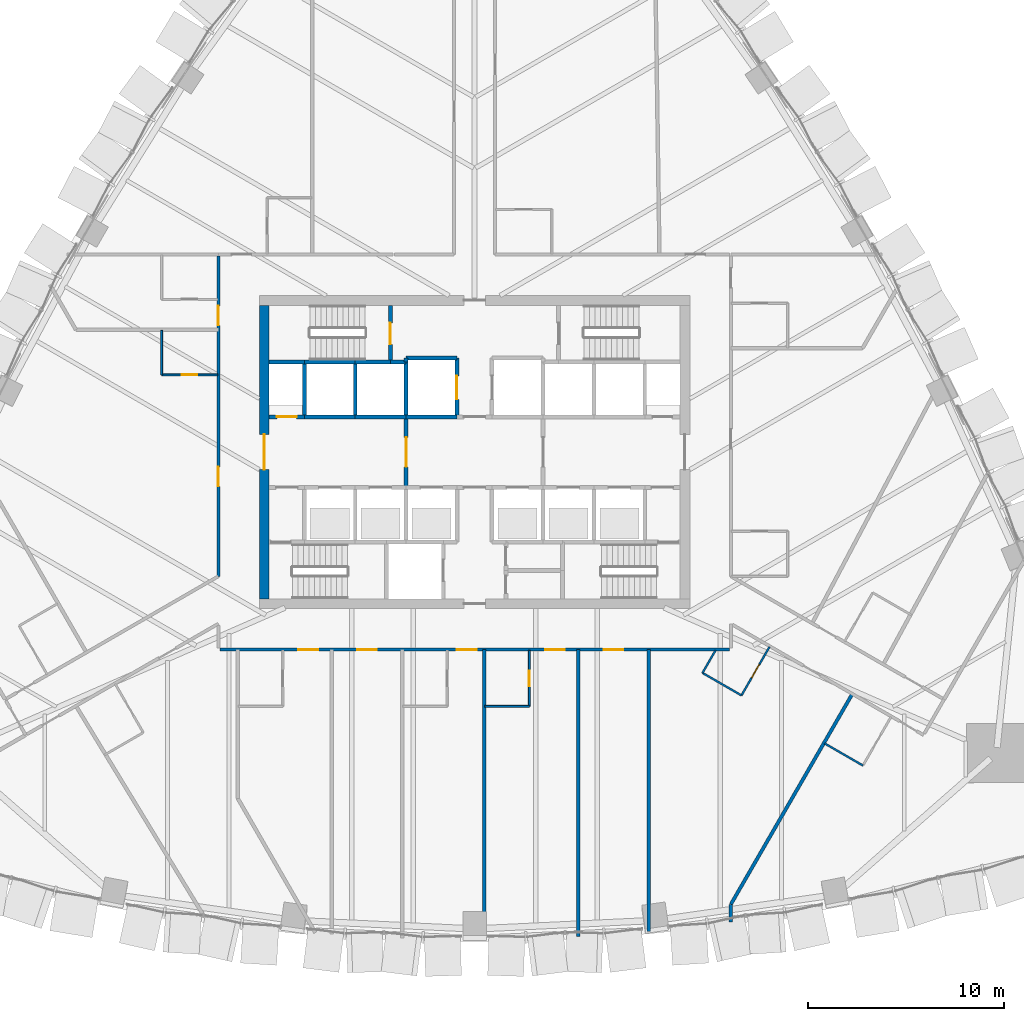
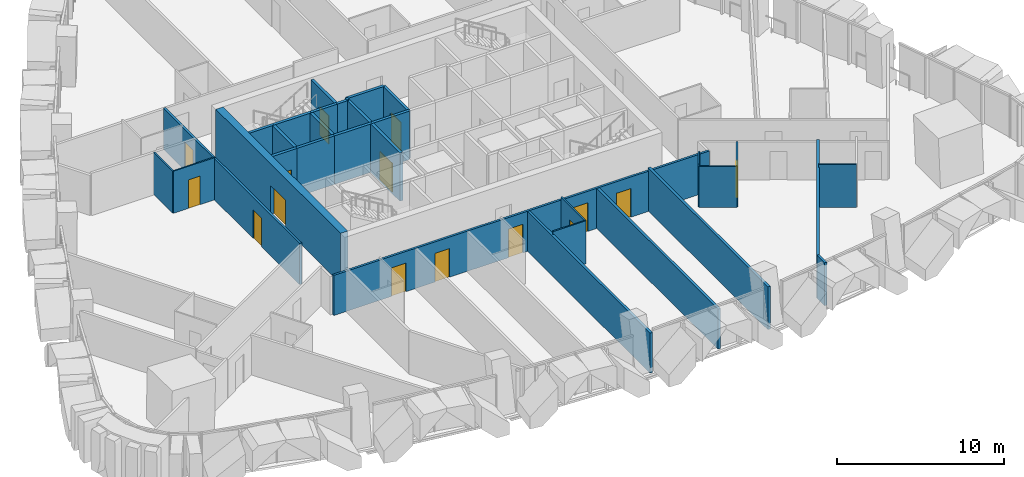
# One storey, part 14 of 22: 32 walls, 15 doors, 15 openings.
"""IFC4 building model written with IfcOpenShell, lengths in metres."""

from ifc_helpers import new_model, si_unit, direction, frame, frame_2d, origin, place, context, subcontext, project, spatial, rectangle, extrude, material, layer, layer_set, type_object, element, fill, save


model = new_model("IFC4")

# Units and contexts
model_context = context("Model", 3, precision=1e-05, world=origin(), true_north=direction((0.0, 1.0)))
body_context = subcontext(model_context, "Body", "Model", "MODEL_VIEW")
ifc_project = project(units=[si_unit("LENGTHUNIT", "METRE"), si_unit("AREAUNIT", "SQUARE_METRE"), si_unit("VOLUMEUNIT", "CUBIC_METRE"), si_unit("PLANEANGLEUNIT", "RADIAN"), si_unit("MASSUNIT", "GRAM", prefix="KILO")], contexts=[model_context])

# Site, building, storey
site_placement = place(None, origin())
site = spatial("IfcSite", under=ifc_project, at=site_placement, CompositionType="ELEMENT")
building_placement = place(site_placement, origin())
building = spatial("IfcBuilding", under=site, at=building_placement, Name="Sierra Prisma Convention Tower", CompositionType="ELEMENT")
storey_placement = place(building_placement, frame((0.0, 0.0, 66.5)))
storey = spatial("IfcBuildingStorey", under=building, at=storey_placement, Name="L12", CompositionType="ELEMENT", Elevation=66.5)

# Wall, opening, door
ifc_material_1 = material(Name="Gypsum board partition", Category="gypsum")
ifc_layer_1 = layer(ifc_material_1, 0.10009765625)
ifc_layer_set_1 = layer_set([ifc_layer_1], Name="Bathroom partition 100")
wall_type_1 = type_object("IfcWallType", Name="Bathroom partition 100", PredefinedType="PARTITIONING", material=ifc_layer_set_1)
wall_1_placement = place(storey_placement, frame((-13.1298828125, 3.94921875, 0.0), z_axis=(0.0, 0.0, 1.0), x_axis=(-1.0, 0.0, 0.0)))
wall_1 = element("IfcWall", 1, at=wall_1_placement, inside=storey, type_object=wall_type_1, Name="Partition L12 bath 5", PredefinedType="PARTITIONING", context=body_context, shape_type="SweptSolid", body=[
    extrude(rectangle(XDim=2.8701171875, YDim=0.10009765625, at=frame_2d((1.43505859375, 0.0))), origin(), (0.0, 0.0, 1.0), 3.093017578125),
])
opening_1_placement = place(wall_1_placement, frame((1.034912109375, 0.0, 0.0)))
opening_1 = element("IfcOpeningElement", 2, at=opening_1_placement, cuts=wall_1, Name="Opening L12-D006", PredefinedType="OPENING", context=body_context, shape_type="SweptSolid", body=[
    extrude(rectangle(XDim=0.800048828125, YDim=2.10009765625, at=frame_2d((0.39990234375, 1.050048828125))), frame((0.0, 0.050048828125, 0.0), z_axis=(0.0, -1.0, 0.0), x_axis=(1.0, 0.0, 0.0)), (0.0, 0.0, 1.0), 0.10009765625),
])
ifc_material_2 = material(Name="Solid core timber door leaf", Category="wood")
door_type_1 = type_object("IfcDoorType", Name="Door 800x2100 plain", OperationType="SINGLE_SWING_LEFT", PredefinedType="DOOR", material=ifc_material_2)
door_1_placement = place(opening_1_placement, origin())
door_1 = element("IfcDoor", 3, at=door_1_placement, inside=storey, type_object=door_type_1, Name="Door L12 14", OperationType="SINGLE_SWING_LEFT", OverallHeight=2.10009765625, OverallWidth=0.800048828125, PredefinedType="DOOR", context=body_context, shape_type="SweptSolid", body=[
    extrude(rectangle(XDim=0.800048828125, YDim=2.10009765625, at=frame_2d((0.39990234375, 1.050048828125))), frame((0.0, 0.02490234375, 0.0), z_axis=(0.0, -1.0, 0.0), x_axis=(1.0, 0.0, 0.0)), (0.0, 0.0, 1.0), 0.050048828125),
])
fill(opening_1, door_1)

# Wall
wall_2_placement = place(storey_placement, frame((-16.0, 3.94921875, 0.0), z_axis=(0.0, 0.0, 1.0), x_axis=(0.0, 1.0, 0.0)))
element("IfcWall", 4, at=wall_2_placement, inside=storey, type_object=wall_type_1, Name="Partition L12 bath 6", PredefinedType="PARTITIONING", context=body_context, shape_type="SweptSolid", body=[
    extrude(rectangle(XDim=2.269775390625, YDim=0.10009765625, at=frame_2d((1.134765625, 0.0))), origin(), (0.0, 0.0, 1.0), 3.093017578125),
])

# Wall, opening, door
wall_3_placement = place(storey_placement, frame((2.800048828125, -10.1298828125, 0.0), z_axis=(0.0, 0.0, 1.0), x_axis=(0.0, -1.0, 0.0)))
wall_3 = element("IfcWall", 5, at=wall_3_placement, inside=storey, type_object=wall_type_1, Name="Partition L12 bath 18", PredefinedType="PARTITIONING", context=body_context, shape_type="SweptSolid", body=[
    extrude(rectangle(XDim=2.8701171875, YDim=0.10009765625, at=frame_2d((1.43505859375, 0.0))), origin(), (0.0, 0.0, 1.0), 3.14990234375),
])
opening_2_placement = place(wall_3_placement, frame((1.034912109375, 0.0, 0.0)))
opening_2 = element("IfcOpeningElement", 6, at=opening_2_placement, cuts=wall_3, Name="Opening L12-D011", PredefinedType="OPENING", context=body_context, shape_type="SweptSolid", body=[
    extrude(rectangle(XDim=0.800048828125, YDim=2.10009765625, at=frame_2d((0.39990234375, 1.050048828125))), frame((0.0, 0.050048828125, 0.0), z_axis=(0.0, -1.0, 0.0), x_axis=(1.0, 0.0, 0.0)), (0.0, 0.0, 1.0), 0.10009765625),
])
door_2_placement = place(opening_2_placement, origin())
door_2 = element("IfcDoor", 7, at=door_2_placement, inside=storey, type_object=door_type_1, Name="Door L12 27", OperationType="SINGLE_SWING_LEFT", OverallHeight=2.10009765625, OverallWidth=0.800048828125, PredefinedType="DOOR", context=body_context, shape_type="SweptSolid", body=[
    extrude(rectangle(XDim=0.800048828125, YDim=2.10009765625, at=frame_2d((0.39990234375, 1.050048828125))), frame((0.0, 0.02490234375, 0.0), z_axis=(0.0, -1.0, 0.0), x_axis=(1.0, 0.0, 0.0)), (0.0, 0.0, 1.0), 0.050048828125),
])
fill(opening_2, door_2)

# Wall
wall_4_placement = place(storey_placement, frame((2.800048828125, -13.0, 0.0), z_axis=(0.0, 0.0, 1.0), x_axis=(-1.0, 0.0, 0.0)))
element("IfcWall", 8, at=wall_4_placement, inside=storey, type_object=wall_type_1, Name="Partition L12 bath 19", PredefinedType="PARTITIONING", context=body_context, shape_type="SweptSolid", body=[
    extrude(rectangle(XDim=2.27001953125, YDim=0.10009765625, at=frame_2d((1.135009765625, 0.0))), origin(), (0.0, 0.0, 1.0), 3.14990234375),
])

# Wall, opening, door
wall_5_placement = place(storey_placement, frame((15.076904296875, -9.95166015625, 0.0), z_axis=(0.0, 0.0, 1.0), x_axis=(-0.499999802827, -0.866025517622, 0.0)))
wall_5 = element("IfcWall", 9, at=wall_5_placement, inside=storey, type_object=wall_type_1, Name="Partition L12 bath 22", PredefinedType="PARTITIONING", context=body_context, shape_type="SweptSolid", body=[
    extrude(rectangle(XDim=2.8701171875, YDim=0.10009765625, at=frame_2d((1.43505859375, 0.0))), origin(), (0.0, 0.0, 1.0), 2.797119140625),
])
opening_3_placement = place(wall_5_placement, frame((1.034912109375, 0.0, 0.0)))
opening_3 = element("IfcOpeningElement", 10, at=opening_3_placement, cuts=wall_5, Name="Opening L12-D012", PredefinedType="OPENING", context=body_context, shape_type="SweptSolid", body=[
    extrude(rectangle(XDim=0.800048828125, YDim=2.10009765625, at=frame_2d((0.39990234375, 1.050048828125))), frame((0.0, 0.050048828125, 0.0), z_axis=(0.0, -1.0, 0.0), x_axis=(1.0, 0.0, 0.0)), (0.0, 0.0, 1.0), 0.10009765625),
])
door_3_placement = place(opening_3_placement, origin())
door_3 = element("IfcDoor", 11, at=door_3_placement, inside=storey, type_object=door_type_1, Name="Door L12 30", OperationType="SINGLE_SWING_LEFT", OverallHeight=2.10009765625, OverallWidth=0.800048828125, PredefinedType="DOOR", context=body_context, shape_type="SweptSolid", body=[
    extrude(rectangle(XDim=0.800048828125, YDim=2.10009765625, at=frame_2d((0.39990234375, 1.050048828125))), frame((0.0, 0.02490234375, 0.0), z_axis=(0.0, -1.0, 0.0), x_axis=(1.0, 0.0, 0.0)), (0.0, 0.0, 1.0), 0.050048828125),
])
fill(opening_3, door_3)

# Walls
wall_6_placement = place(storey_placement, frame((13.641845703125, -12.437255859375, 0.0), z_axis=(0.0, 0.0, 1.0), x_axis=(-0.866007057882, 0.500031774688, 0.0)))
element("IfcWall", 12, at=wall_6_placement, inside=storey, type_object=wall_type_1, Name="Partition L12 bath 23", PredefinedType="PARTITIONING", context=body_context, shape_type="SweptSolid", body=[
    extrude(rectangle(XDim=2.300048828125, YDim=0.10009765625, at=frame_2d((1.14990234375, 0.0))), origin(), (0.0, 0.0, 1.0), 3.01708984375),
])
wall_7_placement = place(storey_placement, frame((11.64990234375, -11.287109375, 0.0), z_axis=(0.0, 0.0, 1.0), x_axis=(0.500049290317, 0.865996944136, 0.0)))
element("IfcWall", 13, at=wall_7_placement, inside=storey, type_object=wall_type_1, Name="Partition L12 bath 24", PredefinedType="PARTITIONING", context=body_context, shape_type="SweptSolid", body=[
    extrude(rectangle(XDim=1.336181640625, YDim=0.10009765625, at=frame_2d((0.66796875, 0.0))), origin(), (0.0, 0.0, 1.0), 3.14990234375),
])
wall_8_placement = place(storey_placement, frame((19.85107421875, -16.022216796875, 0.0), z_axis=(0.0, 0.0, 1.0), x_axis=(-0.866017224141, 0.500014167291, 0.0)))
element("IfcWall", 14, at=wall_8_placement, inside=storey, type_object=wall_type_1, Name="Partition L12 bath 31", PredefinedType="PARTITIONING", context=body_context, shape_type="SweptSolid", body=[
    extrude(rectangle(XDim=2.27001953125, YDim=0.10009765625, at=frame_2d((1.135009765625, 0.0))), origin(), (0.0, 0.0, 1.0), 3.14990234375),
])

# Wall, opening, door
ifc_material_3 = material(Name="Concrete C30/37", Category="concrete")
ifc_layer_2 = layer(ifc_material_3, 0.199951171875)
ifc_layer_set_2 = layer_set([ifc_layer_2], Name="Core wall RC 200 C30/37")
wall_type_2 = type_object("IfcWallType", Name="Core wall RC 200 C30/37", PredefinedType="SOLIDWALL", material=ifc_layer_set_2)
wall_9_placement = place(storey_placement, frame((-8.699951171875, 1.800048828125, 0.0), z_axis=(0.0, 0.0, 1.0), x_axis=(-1.0, 0.0, 0.0)))
wall_9 = element("IfcWall", 15, at=wall_9_placement, inside=storey, type_object=wall_type_2, Name="Core wall L12 3", PredefinedType="SOLIDWALL", context=body_context, shape_type="SweptSolid", body=[
    extrude(rectangle(XDim=1.800048828125, YDim=0.199951171875, at=frame_2d((0.89990234375, 0.0))), origin(), (0.0, 0.0, 1.0), 3.550048828125),
])
opening_4_placement = place(wall_9_placement, frame((0.39990234375, 0.0, 0.0)))
opening_4 = element("IfcOpeningElement", 16, at=opening_4_placement, cuts=wall_9, Name="Opening L12-D031", PredefinedType="OPENING", context=body_context, shape_type="SweptSolid", body=[
    extrude(rectangle(XDim=1.0, YDim=2.10009765625, at=frame_2d((0.5, 1.050048828125))), frame((0.0, 0.10009765625, 0.0), z_axis=(0.0, -1.0, 0.0), x_axis=(1.0, 0.0, 0.0)), (0.0, 0.0, 1.0), 0.199951171875),
])
ifc_material_4 = material(Name="Steel fire door leaf", Category="steel")
door_type_2 = type_object("IfcDoorType", Name="Door 1000x2100 FD60S", OperationType="SINGLE_SWING_LEFT", PredefinedType="DOOR", material=ifc_material_4)
door_4_placement = place(opening_4_placement, origin())
door_4 = element("IfcDoor", 17, at=door_4_placement, inside=storey, type_object=door_type_2, Name="Door L12 53", OperationType="SINGLE_SWING_RIGHT", OverallHeight=2.10009765625, OverallWidth=1.0, PredefinedType="DOOR", context=body_context, shape_type="SweptSolid", body=[
    extrude(rectangle(XDim=1.0, YDim=2.10009765625, at=frame_2d((0.5, 1.050048828125))), frame((0.0, 0.02490234375, 0.0), z_axis=(0.0, -1.0, 0.0), x_axis=(1.0, 0.0, 0.0)), (0.0, 0.0, 1.0), 0.050048828125),
])
fill(opening_4, door_4)

# Walls
wall_10_placement = place(storey_placement, frame((-8.699951171875, 4.60009765625, 0.0), z_axis=(0.0, 0.0, 1.0), x_axis=(-1.0, 0.0, 0.0)))
element("IfcWall", 18, at=wall_10_placement, inside=storey, type_object=wall_type_2, Name="Core wall L12 4", PredefinedType="SOLIDWALL", context=body_context, shape_type="SweptSolid", body=[
    extrude(rectangle(XDim=1.800048828125, YDim=0.199951171875, at=frame_2d((0.89990234375, 0.0))), origin(), (0.0, 0.0, 1.0), 3.550048828125),
])
wall_11_placement = place(storey_placement, frame((-6.10009765625, 1.800048828125, 0.0), z_axis=(0.0, 0.0, 1.0), x_axis=(-1.0, 0.0, 0.0)))
element("IfcWall", 19, at=wall_11_placement, inside=storey, type_object=wall_type_2, Name="Core wall L12 8", PredefinedType="SOLIDWALL", context=body_context, shape_type="SweptSolid", body=[
    extrude(rectangle(XDim=2.599853515625, YDim=0.199951171875, at=frame_2d((1.2998046875, 0.0))), origin(), (0.0, 0.0, 1.0), 3.550048828125),
])
wall_12_placement = place(storey_placement, frame((-8.699951171875, 1.800048828125, 0.0), z_axis=(0.0, 0.0, 1.0), x_axis=(0.0, 1.0, 0.0)))
element("IfcWall", 20, at=wall_12_placement, inside=storey, type_object=wall_type_2, Name="Core wall L12 9", PredefinedType="SOLIDWALL", context=body_context, shape_type="SweptSolid", body=[
    extrude(rectangle(XDim=2.800048828125, YDim=0.199951171875, at=frame_2d((1.39990234375, 0.0))), origin(), (0.0, 0.0, 1.0), 3.550048828125),
])
wall_13_placement = place(storey_placement, frame((-6.10009765625, 4.60009765625, 0.0), z_axis=(0.0, 0.0, 1.0), x_axis=(-1.0, 0.0, 0.0)))
element("IfcWall", 21, at=wall_13_placement, inside=storey, type_object=wall_type_2, Name="Core wall L12 10", PredefinedType="SOLIDWALL", context=body_context, shape_type="SweptSolid", body=[
    extrude(rectangle(XDim=2.599853515625, YDim=0.199951171875, at=frame_2d((1.2998046875, 0.0))), origin(), (0.0, 0.0, 1.0), 3.550048828125),
])
wall_14_placement = place(storey_placement, frame((-3.5, 1.800048828125, 0.0), z_axis=(0.0, 0.0, 1.0), x_axis=(-1.0, 0.0, 0.0)))
element("IfcWall", 22, at=wall_14_placement, inside=storey, type_object=wall_type_2, Name="Core wall L12 14", PredefinedType="SOLIDWALL", context=body_context, shape_type="SweptSolid", body=[
    extrude(rectangle(XDim=2.60009765625, YDim=0.199951171875, at=frame_2d((1.300048828125, 0.0))), origin(), (0.0, 0.0, 1.0), 3.550048828125),
])
wall_15_placement = place(storey_placement, frame((-6.10009765625, 1.800048828125, 0.0), z_axis=(0.0, 0.0, 1.0), x_axis=(0.0, 1.0, 0.0)))
element("IfcWall", 23, at=wall_15_placement, inside=storey, type_object=wall_type_2, Name="Core wall L12 15", PredefinedType="SOLIDWALL", context=body_context, shape_type="SweptSolid", body=[
    extrude(rectangle(XDim=2.800048828125, YDim=0.199951171875, at=frame_2d((1.39990234375, 0.0))), origin(), (0.0, 0.0, 1.0), 3.550048828125),
])
wall_16_placement = place(storey_placement, frame((-4.300048828125, 4.60009765625, 0.0), z_axis=(0.0, 0.0, 1.0), x_axis=(-1.0, 0.0, 0.0)))
element("IfcWall", 24, at=wall_16_placement, inside=storey, type_object=wall_type_2, Name="Core wall L12 16", PredefinedType="SOLIDWALL", context=body_context, shape_type="SweptSolid", body=[
    extrude(rectangle(XDim=1.800048828125, YDim=0.199951171875, at=frame_2d((0.89990234375, 0.0))), origin(), (0.0, 0.0, 1.0), 3.550048828125),
])
wall_17_placement = place(storey_placement, frame((-3.5, 4.60009765625, 0.0), z_axis=(0.0, 0.0, 1.0), x_axis=(-1.0, 0.0, 0.0)))
element("IfcWall", 25, at=wall_17_placement, inside=storey, type_object=wall_type_2, Name="Core wall L12 19", PredefinedType="SOLIDWALL", context=body_context, shape_type="SweptSolid", body=[
    extrude(rectangle(XDim=0.800048828125, YDim=0.199951171875, at=frame_2d((0.39990234375, 0.0))), origin(), (0.0, 0.0, 1.0), 3.550048828125),
])

# Wall, opening, door
wall_18_placement = place(storey_placement, frame((-4.300048828125, 4.60009765625, 0.0), z_axis=(0.0, 0.0, 1.0), x_axis=(0.0, 1.0, 0.0)))
wall_18 = element("IfcWall", 26, at=wall_18_placement, inside=storey, type_object=wall_type_2, Name="Core wall L12 20", PredefinedType="SOLIDWALL", context=body_context, shape_type="SweptSolid", body=[
    extrude(rectangle(XDim=2.89990234375, YDim=0.199951171875, at=frame_2d((1.449951171875, 0.0))), origin(), (0.0, 0.0, 1.0), 3.550048828125),
])
opening_5_placement = place(wall_18_placement, frame((0.89990234375, 0.0, 0.0)))
opening_5 = element("IfcOpeningElement", 27, at=opening_5_placement, cuts=wall_18, Name="Opening L12-D035", PredefinedType="OPENING", context=body_context, shape_type="SweptSolid", body=[
    extrude(rectangle(XDim=1.10009765625, YDim=2.10009765625, at=frame_2d((0.550048828125, 1.050048828125))), frame((0.0, 0.10009765625, 0.0), z_axis=(0.0, -1.0, 0.0), x_axis=(1.0, 0.0, 0.0)), (0.0, 0.0, 1.0), 0.199951171875),
])
ifc_material_5 = material(Name="Steel fire door leaf", Category="steel")
door_type_3 = type_object("IfcDoorType", Name="Door 1100x2100 FD90S", OperationType="SINGLE_SWING_LEFT", PredefinedType="DOOR", material=ifc_material_5)
door_5_placement = place(opening_5_placement, origin())
door_5 = element("IfcDoor", 28, at=door_5_placement, inside=storey, type_object=door_type_3, Name="Door L12 57", OperationType="SINGLE_SWING_LEFT", OverallHeight=2.10009765625, OverallWidth=1.10009765625, PredefinedType="DOOR", context=body_context, shape_type="SweptSolid", body=[
    extrude(rectangle(XDim=1.10009765625, YDim=2.10009765625, at=frame_2d((0.550048828125, 1.050048828125))), frame((0.0, 0.02490234375, 0.0), z_axis=(0.0, -1.0, 0.0), x_axis=(1.0, 0.0, 0.0)), (0.0, 0.0, 1.0), 0.050048828125),
])
fill(opening_5, door_5)

wall_19_placement = place(storey_placement, frame((-3.5, 1.800048828125, 0.0), z_axis=(0.0, 0.0, 1.0), x_axis=(0.0, -1.0, 0.0)))
wall_19 = element("IfcWall", 29, at=wall_19_placement, inside=storey, type_object=wall_type_2, Name="Core wall L12 24", PredefinedType="SOLIDWALL", context=body_context, shape_type="SweptSolid", body=[
    extrude(rectangle(XDim=3.60009765625, YDim=0.199951171875, at=frame_2d((1.800048828125, 0.0))), origin(), (0.0, 0.0, 1.0), 3.550048828125),
])
opening_6_placement = place(wall_19_placement, frame((1.050048828125, 0.0, 0.0)))
opening_6 = element("IfcOpeningElement", 30, at=opening_6_placement, cuts=wall_19, Name="Opening L12-D025", PredefinedType="OPENING", context=body_context, shape_type="SweptSolid", body=[
    extrude(rectangle(XDim=1.5, YDim=2.10009765625, at=frame_2d((0.75, 1.050048828125))), frame((0.0, 0.10009765625, 0.0), z_axis=(0.0, -1.0, 0.0), x_axis=(1.0, 0.0, 0.0)), (0.0, 0.0, 1.0), 0.199951171875),
])
ifc_material_6 = material(Name="Steel fire door leaf", Category="steel")
door_type_4 = type_object("IfcDoorType", Name="Door 1500x2100 FD30S", OperationType="DOUBLE_DOOR_SINGLE_SWING", PredefinedType="DOOR", material=ifc_material_6)
door_6_placement = place(opening_6_placement, origin())
door_6 = element("IfcDoor", 31, at=door_6_placement, inside=storey, type_object=door_type_4, Name="Door L12 47", OperationType="DOUBLE_DOOR_SINGLE_SWING", OverallHeight=2.10009765625, OverallWidth=1.5, PredefinedType="DOOR", context=body_context, shape_type="SweptSolid", body=[
    extrude(rectangle(XDim=1.5, YDim=2.10009765625, at=frame_2d((0.75, 1.050048828125))), frame((0.0, 0.02490234375, 0.0), z_axis=(0.0, -1.0, 0.0), x_axis=(1.0, 0.0, 0.0)), (0.0, 0.0, 1.0), 0.050048828125),
])
fill(opening_6, door_6)

# Walls
wall_20_placement = place(storey_placement, frame((-0.89990234375, 1.800048828125, 0.0), z_axis=(0.0, 0.0, 1.0), x_axis=(-1.0, 0.0, 0.0)))
element("IfcWall", 32, at=wall_20_placement, inside=storey, type_object=wall_type_2, Name="Core wall L12 25", PredefinedType="SOLIDWALL", context=body_context, shape_type="SweptSolid", body=[
    extrude(rectangle(XDim=2.60009765625, YDim=0.199951171875, at=frame_2d((1.300048828125, 0.0))), origin(), (0.0, 0.0, 1.0), 3.550048828125),
])
wall_21_placement = place(storey_placement, frame((-3.5, 4.60009765625, 0.0), z_axis=(0.0, 0.0, 1.0), x_axis=(0.0, -1.0, 0.0)))
element("IfcWall", 33, at=wall_21_placement, inside=storey, type_object=wall_type_2, Name="Core wall L12 26", PredefinedType="SOLIDWALL", context=body_context, shape_type="SweptSolid", body=[
    extrude(rectangle(XDim=2.800048828125, YDim=0.199951171875, at=frame_2d((1.39990234375, 0.0))), origin(), (0.0, 0.0, 1.0), 3.550048828125),
])

# Wall, opening, door
wall_22_placement = place(storey_placement, frame((-0.89990234375, 1.800048828125, 0.0), z_axis=(0.0, 0.0, 1.0), x_axis=(0.0, 1.0, 0.0)))
wall_22 = element("IfcWall", 34, at=wall_22_placement, inside=storey, type_object=wall_type_2, Name="Core wall L12 27", PredefinedType="SOLIDWALL", context=body_context, shape_type="SweptSolid", body=[
    extrude(rectangle(XDim=3.0, YDim=0.199951171875, at=frame_2d((1.5, 0.0))), origin(), (0.0, 0.0, 1.0), 3.550048828125),
])
opening_7_placement = place(wall_22_placement, frame((0.89990234375, 0.0, 0.0)))
opening_7 = element("IfcOpeningElement", 35, at=opening_7_placement, cuts=wall_22, Name="Opening L12-D022", PredefinedType="OPENING", context=body_context, shape_type="SweptSolid", body=[
    extrude(rectangle(XDim=1.199951171875, YDim=2.10009765625, at=frame_2d((0.60009765625, 1.050048828125))), frame((0.0, 0.10009765625, 0.0), z_axis=(0.0, -1.0, 0.0), x_axis=(1.0, 0.0, 0.0)), (0.0, 0.0, 1.0), 0.199951171875),
])
ifc_material_7 = material(Name="Steel fire door leaf", Category="steel")
door_type_5 = type_object("IfcDoorType", Name="Door 1200x2100 EI 90 sliding lift landing", OperationType="SLIDING_TO_LEFT", PredefinedType="DOOR", material=ifc_material_7)
door_7_placement = place(opening_7_placement, origin())
door_7 = element("IfcDoor", 36, at=door_7_placement, inside=storey, type_object=door_type_5, Name="Door L12 44", OperationType="SLIDING_TO_LEFT", OverallHeight=2.10009765625, OverallWidth=1.199951171875, PredefinedType="DOOR", context=body_context, shape_type="SweptSolid", body=[
    extrude(rectangle(XDim=1.199951171875, YDim=2.10009765625, at=frame_2d((0.60009765625, 1.050048828125))), frame((0.0, 0.02490234375, 0.0), z_axis=(0.0, -1.0, 0.0), x_axis=(1.0, 0.0, 0.0)), (0.0, 0.0, 1.0), 0.050048828125),
])
fill(opening_7, door_7)

# Walls
wall_23_placement = place(storey_placement, frame((-0.89990234375, 4.800048828125, 0.0), z_axis=(0.0, 0.0, 1.0), x_axis=(-1.0, 0.0, 0.0)))
element("IfcWall", 37, at=wall_23_placement, inside=storey, type_object=wall_type_2, Name="Core wall L12 28", PredefinedType="SOLIDWALL", context=body_context, shape_type="SweptSolid", body=[
    extrude(rectangle(XDim=2.60009765625, YDim=0.199951171875, at=frame_2d((1.300048828125, 0.0))), origin(), (0.0, 0.0, 1.0), 3.550048828125),
])
wall_24_placement = place(storey_placement, frame((-3.5, 4.800048828125, 0.0), z_axis=(0.0, 0.0, 1.0), x_axis=(0.0, -1.0, 0.0)))
element("IfcWall", 38, at=wall_24_placement, inside=storey, type_object=wall_type_2, Name="Core wall L12 29", PredefinedType="SOLIDWALL", context=body_context, shape_type="SweptSolid", body=[
    extrude(rectangle(XDim=0.199951171875, YDim=0.199951171875, at=frame_2d((0.10009765625, 0.0))), origin(), (0.0, 0.0, 1.0), 3.550048828125),
])

# Wall, opening, door
ifc_material_8 = material(Name="Concrete C60/75", Category="concrete")
ifc_layer_3 = layer(ifc_material_8, 0.5)
ifc_layer_set_3 = layer_set([ifc_layer_3], Name="Core wall RC 500 C60/75")
wall_type_3 = type_object("IfcWallType", Name="Core wall RC 500 C60/75", PredefinedType="SHEAR", material=ifc_layer_set_3)
wall_25_placement = place(storey_placement, frame((-10.75, -7.5, 0.0), z_axis=(0.0, 0.0, 1.0), x_axis=(0.0, 1.0, 0.0)))
wall_25 = element("IfcWall", 39, at=wall_25_placement, inside=storey, type_object=wall_type_3, Name="Core wall W L12", PredefinedType="SHEAR", context=body_context, shape_type="SweptSolid", body=[
    extrude(rectangle(XDim=15.0, YDim=0.5, at=frame_2d((7.5, 0.0))), origin(), (0.0, 0.0, 1.0), 3.699951171875),
])
opening_8_placement = place(wall_25_placement, frame((6.60009765625, 0.0, 0.0)))
opening_8 = element("IfcOpeningElement", 40, at=opening_8_placement, cuts=wall_25, Name="Opening L12-D064", PredefinedType="OPENING", context=body_context, shape_type="SweptSolid", body=[
    extrude(rectangle(XDim=1.800048828125, YDim=2.10009765625, at=frame_2d((0.89990234375, 1.050048828125))), frame((0.0, 0.25, 0.0), z_axis=(0.0, -1.0, 0.0), x_axis=(1.0, 0.0, 0.0)), (0.0, 0.0, 1.0), 0.5),
])
ifc_material_9 = material(Name="Steel fire door leaf", Category="steel")
door_type_6 = type_object("IfcDoorType", Name="Door 1800x2100 FD60S", OperationType="DOUBLE_DOOR_SINGLE_SWING", PredefinedType="DOOR", material=ifc_material_9)
door_8_placement = place(opening_8_placement, origin())
door_8 = element("IfcDoor", 41, at=door_8_placement, inside=storey, type_object=door_type_6, Name="Door L12 61", OperationType="DOUBLE_DOOR_SINGLE_SWING", OverallHeight=2.10009765625, OverallWidth=1.800048828125, PredefinedType="DOOR", context=body_context, shape_type="SweptSolid", body=[
    extrude(rectangle(XDim=1.800048828125, YDim=2.10009765625, at=frame_2d((0.89990234375, 1.050048828125))), frame((0.0, 0.02490234375, 0.0), z_axis=(0.0, -1.0, 0.0), x_axis=(1.0, 0.0, 0.0)), (0.0, 0.0, 1.0), 0.050048828125),
])
fill(opening_8, door_8)

# Wall, openings, doors
ifc_material_10 = material(Name="Gypsum board partition", Category="gypsum")
ifc_layer_4 = layer(ifc_material_10, 0.14990234375)
ifc_layer_set_4 = layer_set([ifc_layer_4], Name="Corridor wall 150 gypsum EI 60")
wall_type_4 = type_object("IfcWallType", Name="Corridor wall 150 gypsum EI 60", PredefinedType="PARTITIONING", material=ifc_layer_set_4)
wall_26_placement = place(storey_placement, frame((-13.10009765625, 10.02001953125, 0.0), z_axis=(0.0, 0.0, 1.0), x_axis=(0.0, -1.0, 0.0)))
wall_26 = element("IfcWall", 42, at=wall_26_placement, inside=storey, type_object=wall_type_4, Name="Partition L12 corr 5", PredefinedType="PARTITIONING", context=body_context, shape_type="SweptSolid", body=[
    extrude(rectangle(XDim=16.370849609375, YDim=0.14990234375, at=frame_2d((8.185546875, 0.0))), origin(), (0.0, 0.0, 1.0), 3.01708984375),
])
opening_9_placement = place(wall_26_placement, frame((2.54541015625, 0.0, 0.0)))
opening_9 = element("IfcOpeningElement", 43, at=opening_9_placement, cuts=wall_26, Name="Opening L12-D045", PredefinedType="OPENING", context=body_context, shape_type="SweptSolid", body=[
    extrude(rectangle(XDim=1.0, YDim=2.10009765625, at=frame_2d((0.5, 1.050048828125))), frame((0.0, 0.074951171875, 0.0), z_axis=(0.0, -1.0, 0.0), x_axis=(1.0, 0.0, 0.0)), (0.0, 0.0, 1.0), 0.14990234375),
])
opening_10_placement = place(wall_26_placement, frame((10.77099609375, 0.0, 0.0)))
opening_10 = element("IfcOpeningElement", 44, at=opening_10_placement, cuts=wall_26, Name="Opening L12-D046", PredefinedType="OPENING", context=body_context, shape_type="SweptSolid", body=[
    extrude(rectangle(XDim=1.0, YDim=2.10009765625, at=frame_2d((0.5, 1.050048828125))), frame((0.0, 0.074951171875, 0.0), z_axis=(0.0, -1.0, 0.0), x_axis=(1.0, 0.0, 0.0)), (0.0, 0.0, 1.0), 0.14990234375),
])
ifc_material_11 = material(Name="Steel fire door leaf", Category="steel")
door_type_7 = type_object("IfcDoorType", Name="Door 1000x2100 FD30S", OperationType="SINGLE_SWING_LEFT", PredefinedType="DOOR", material=ifc_material_11)
door_9_placement = place(opening_9_placement, origin())
door_9 = element("IfcDoor", 45, at=door_9_placement, inside=storey, type_object=door_type_7, Name="Door L12 11", OperationType="SINGLE_SWING_LEFT", OverallHeight=2.10009765625, OverallWidth=1.0, PredefinedType="DOOR", context=body_context, shape_type="SweptSolid", body=[
    extrude(rectangle(XDim=1.0, YDim=2.10009765625, at=frame_2d((0.5, 1.050048828125))), frame((0.0, 0.02490234375, 0.0), z_axis=(0.0, -1.0, 0.0), x_axis=(1.0, 0.0, 0.0)), (0.0, 0.0, 1.0), 0.050048828125),
])
fill(opening_9, door_9)
door_10_placement = place(opening_10_placement, origin())
door_10 = element("IfcDoor", 46, at=door_10_placement, inside=storey, type_object=door_type_7, Name="Door L12 13", OperationType="SINGLE_SWING_LEFT", OverallHeight=2.10009765625, OverallWidth=1.0, PredefinedType="DOOR", context=body_context, shape_type="SweptSolid", body=[
    extrude(rectangle(XDim=1.0, YDim=2.10009765625, at=frame_2d((0.5, 1.050048828125))), frame((0.0, 0.02490234375, 0.0), z_axis=(0.0, -1.0, 0.0), x_axis=(1.0, 0.0, 0.0)), (0.0, 0.0, 1.0), 0.050048828125),
])
fill(opening_10, door_10)

wall_27_placement = place(storey_placement, frame((-13.02001953125, -10.10009765625, 0.0), z_axis=(0.0, 0.0, 1.0), x_axis=(1.0, 0.0, 0.0)))
wall_27 = element("IfcWall", 47, at=wall_27_placement, inside=storey, type_object=wall_type_4, Name="Partition L12 corr 7", PredefinedType="PARTITIONING", context=body_context, shape_type="SweptSolid", body=[
    extrude(rectangle(XDim=26.0400390625, YDim=0.14990234375, at=frame_2d((13.02001953125, 0.0))), origin(), (0.0, 0.0, 1.0), 2.947021484375),
])
opening_11_placement = place(wall_27_placement, frame((4.02001953125, 0.0, 0.0)))
opening_11 = element("IfcOpeningElement", 48, at=opening_11_placement, cuts=wall_27, Name="Opening L12-D051", PredefinedType="OPENING", context=body_context, shape_type="SweptSolid", body=[
    extrude(rectangle(XDim=1.0, YDim=2.10009765625, at=frame_2d((0.5, 1.050048828125))), frame((0.0, 0.074951171875, 0.0), z_axis=(0.0, -1.0, 0.0), x_axis=(1.0, 0.0, 0.0)), (0.0, 0.0, 1.0), 0.14990234375),
])
opening_12_placement = place(wall_27_placement, frame((7.02001953125, 0.0, 0.0)))
opening_12 = element("IfcOpeningElement", 49, at=opening_12_placement, cuts=wall_27, Name="Opening L12-D052", PredefinedType="OPENING", context=body_context, shape_type="SweptSolid", body=[
    extrude(rectangle(XDim=1.0, YDim=2.10009765625, at=frame_2d((0.5, 1.050048828125))), frame((0.0, 0.074951171875, 0.0), z_axis=(0.0, -1.0, 0.0), x_axis=(1.0, 0.0, 0.0)), (0.0, 0.0, 1.0), 0.14990234375),
])
opening_13_placement = place(wall_27_placement, frame((12.1201171875, 0.0, 0.0)))
opening_13 = element("IfcOpeningElement", 50, at=opening_13_placement, cuts=wall_27, Name="Opening L12-D053", PredefinedType="OPENING", context=body_context, shape_type="SweptSolid", body=[
    extrude(rectangle(XDim=1.0, YDim=2.10009765625, at=frame_2d((0.5, 1.050048828125))), frame((0.0, 0.074951171875, 0.0), z_axis=(0.0, -1.0, 0.0), x_axis=(1.0, 0.0, 0.0)), (0.0, 0.0, 1.0), 0.14990234375),
])
opening_14_placement = place(wall_27_placement, frame((16.6201171875, 0.0, 0.0)))
opening_14 = element("IfcOpeningElement", 51, at=opening_14_placement, cuts=wall_27, Name="Opening L12-D054", PredefinedType="OPENING", context=body_context, shape_type="SweptSolid", body=[
    extrude(rectangle(XDim=1.0, YDim=2.10009765625, at=frame_2d((0.5, 1.050048828125))), frame((0.0, 0.074951171875, 0.0), z_axis=(0.0, -1.0, 0.0), x_axis=(1.0, 0.0, 0.0)), (0.0, 0.0, 1.0), 0.14990234375),
])
opening_15_placement = place(wall_27_placement, frame((19.6201171875, 0.0, 0.0)))
opening_15 = element("IfcOpeningElement", 52, at=opening_15_placement, cuts=wall_27, Name="Opening L12-D055", PredefinedType="OPENING", context=body_context, shape_type="SweptSolid", body=[
    extrude(rectangle(XDim=1.0, YDim=2.10009765625, at=frame_2d((0.5, 1.050048828125))), frame((0.0, 0.074951171875, 0.0), z_axis=(0.0, -1.0, 0.0), x_axis=(1.0, 0.0, 0.0)), (0.0, 0.0, 1.0), 0.14990234375),
])
door_11_placement = place(opening_11_placement, origin())
door_11 = element("IfcDoor", 53, at=door_11_placement, inside=storey, type_object=door_type_7, Name="Door L12 21", OperationType="SINGLE_SWING_LEFT", OverallHeight=2.10009765625, OverallWidth=1.0, PredefinedType="DOOR", context=body_context, shape_type="SweptSolid", body=[
    extrude(rectangle(XDim=1.0, YDim=2.10009765625, at=frame_2d((0.5, 1.050048828125))), frame((0.0, 0.02490234375, 0.0), z_axis=(0.0, -1.0, 0.0), x_axis=(1.0, 0.0, 0.0)), (0.0, 0.0, 1.0), 0.050048828125),
])
fill(opening_11, door_11)
door_12_placement = place(opening_12_placement, origin())
door_12 = element("IfcDoor", 54, at=door_12_placement, inside=storey, type_object=door_type_7, Name="Door L12 23", OperationType="SINGLE_SWING_RIGHT", OverallHeight=2.10009765625, OverallWidth=1.0, PredefinedType="DOOR", context=body_context, shape_type="SweptSolid", body=[
    extrude(rectangle(XDim=1.0, YDim=2.10009765625, at=frame_2d((0.5, 1.050048828125))), frame((0.0, 0.02490234375, 0.0), z_axis=(0.0, -1.0, 0.0), x_axis=(1.0, 0.0, 0.0)), (0.0, 0.0, 1.0), 0.050048828125),
])
fill(opening_12, door_12)
door_13_placement = place(opening_13_placement, origin())
door_13 = element("IfcDoor", 55, at=door_13_placement, inside=storey, type_object=door_type_7, Name="Door L12 24", OperationType="SINGLE_SWING_LEFT", OverallHeight=2.10009765625, OverallWidth=1.0, PredefinedType="DOOR", context=body_context, shape_type="SweptSolid", body=[
    extrude(rectangle(XDim=1.0, YDim=2.10009765625, at=frame_2d((0.5, 1.050048828125))), frame((0.0, 0.02490234375, 0.0), z_axis=(0.0, -1.0, 0.0), x_axis=(1.0, 0.0, 0.0)), (0.0, 0.0, 1.0), 0.050048828125),
])
fill(opening_13, door_13)
door_14_placement = place(opening_14_placement, origin())
door_14 = element("IfcDoor", 56, at=door_14_placement, inside=storey, type_object=door_type_7, Name="Door L12 26", OperationType="SINGLE_SWING_LEFT", OverallHeight=2.10009765625, OverallWidth=1.0, PredefinedType="DOOR", context=body_context, shape_type="SweptSolid", body=[
    extrude(rectangle(XDim=1.0, YDim=2.10009765625, at=frame_2d((0.5, 1.050048828125))), frame((0.0, 0.02490234375, 0.0), z_axis=(0.0, -1.0, 0.0), x_axis=(1.0, 0.0, 0.0)), (0.0, 0.0, 1.0), 0.050048828125),
])
fill(opening_14, door_14)
door_15_placement = place(opening_15_placement, origin())
door_15 = element("IfcDoor", 57, at=door_15_placement, inside=storey, type_object=door_type_7, Name="Door L12 28", OperationType="SINGLE_SWING_LEFT", OverallHeight=2.10009765625, OverallWidth=1.0, PredefinedType="DOOR", context=body_context, shape_type="SweptSolid", body=[
    extrude(rectangle(XDim=1.0, YDim=2.10009765625, at=frame_2d((0.5, 1.050048828125))), frame((0.0, 0.02490234375, 0.0), z_axis=(0.0, -1.0, 0.0), x_axis=(1.0, 0.0, 0.0)), (0.0, 0.0, 1.0), 0.050048828125),
])
fill(opening_15, door_15)

# Walls
ifc_material_12 = material(Name="Acoustic gypsum board partition", Category="gypsum")
ifc_layer_5 = layer(ifc_material_12, 0.175048828125)
ifc_layer_set_5 = layer_set([ifc_layer_5], Name="Guest room party wall 175 acoustic EI 60")
wall_type_5 = type_object("IfcWallType", Name="Guest room party wall 175 acoustic EI 60", PredefinedType="PARTITIONING", material=ifc_layer_set_5)
wall_28_placement = place(storey_placement, frame((0.5, -10.10009765625, 0.0), z_axis=(0.0, 0.0, 1.0), x_axis=(0.0, -1.0, 0.0)))
element("IfcWall", 58, at=wall_28_placement, inside=storey, type_object=wall_type_5, Name="Partition L12 hparty 14", PredefinedType="PARTITIONING", context=body_context, shape_type="SweptSolid", body=[
    extrude(rectangle(XDim=14.801025390625, YDim=0.175048828125, at=frame_2d((7.400390625, 0.0))), origin(), (0.0, 0.0, 1.0), 2.93408203125),
])
wall_29_placement = place(storey_placement, frame((5.300048828125, -10.10009765625, 0.0), z_axis=(0.0, 0.0, 1.0), x_axis=(0.0, -1.0, 0.0)))
element("IfcWall", 59, at=wall_29_placement, inside=storey, type_object=wall_type_5, Name="Partition L12 hparty 17", PredefinedType="PARTITIONING", context=body_context, shape_type="SweptSolid", body=[
    extrude(rectangle(XDim=14.66015625, YDim=0.175048828125, at=frame_2d((7.330078125, 0.0))), origin(), (0.0, 0.0, 1.0), 2.93408203125),
])
wall_30_placement = place(storey_placement, frame((8.89990234375, -24.502685546875, 0.0), z_axis=(0.0, 0.0, 1.0), x_axis=(0.0, 1.0, 0.0)))
element("IfcWall", 60, at=wall_30_placement, inside=storey, type_object=wall_type_5, Name="Partition L12 hparty 18", PredefinedType="PARTITIONING", context=body_context, shape_type="SweptSolid", body=[
    extrude(rectangle(XDim=14.402587890625, YDim=0.175048828125, at=frame_2d((7.201171875, 0.0))), origin(), (0.0, 0.0, 1.0), 3.14990234375),
])
wall_31_placement = place(storey_placement, frame((19.30908203125, -12.360595703125, 0.0), z_axis=(0.0, 0.0, 1.0), x_axis=(-0.499987367932, -0.86603269679, 0.0)))
element("IfcWall", 61, at=wall_31_placement, inside=storey, type_object=wall_type_5, Name="Partition L12 hparty 20", PredefinedType="PARTITIONING", context=body_context, shape_type="SweptSolid", body=[
    extrude(rectangle(XDim=12.418212890625, YDim=0.175048828125, at=frame_2d((6.208984375, 0.0))), origin(), (0.0, 0.0, 1.0), 2.93408203125),
])
wall_32_placement = place(storey_placement, frame((13.10009765625, -23.115234375, 0.0), z_axis=(0.0, 0.0, 1.0), x_axis=(0.0, -1.0, 0.0)))
element("IfcWall", 62, at=wall_32_placement, inside=storey, type_object=wall_type_5, Name="Partition L12 hparty 21", PredefinedType="PARTITIONING", context=body_context, shape_type="SweptSolid", body=[
    extrude(rectangle(XDim=0.912353515625, YDim=0.175048828125, at=frame_2d((0.4560546875, 0.0))), origin(), (0.0, 0.0, 1.0), 3.14990234375),
])

save(model, "model.ifc")
